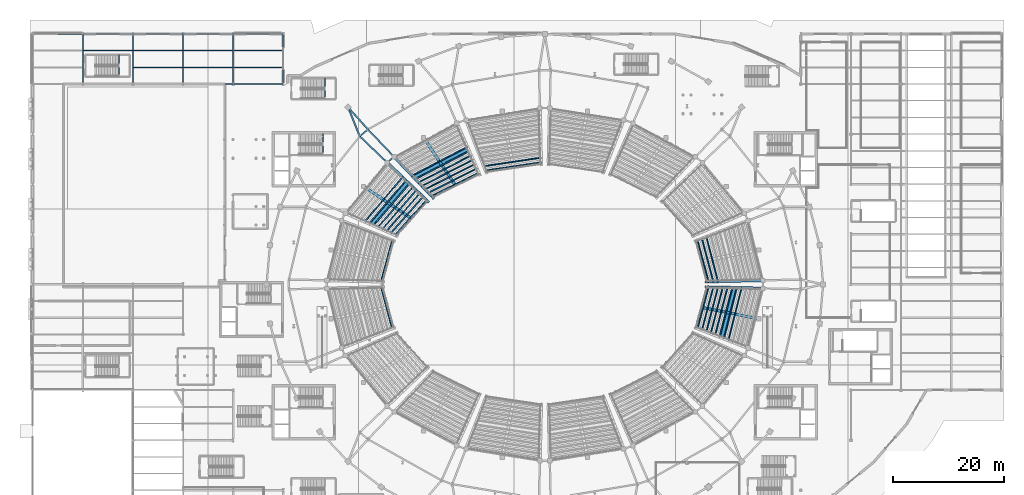
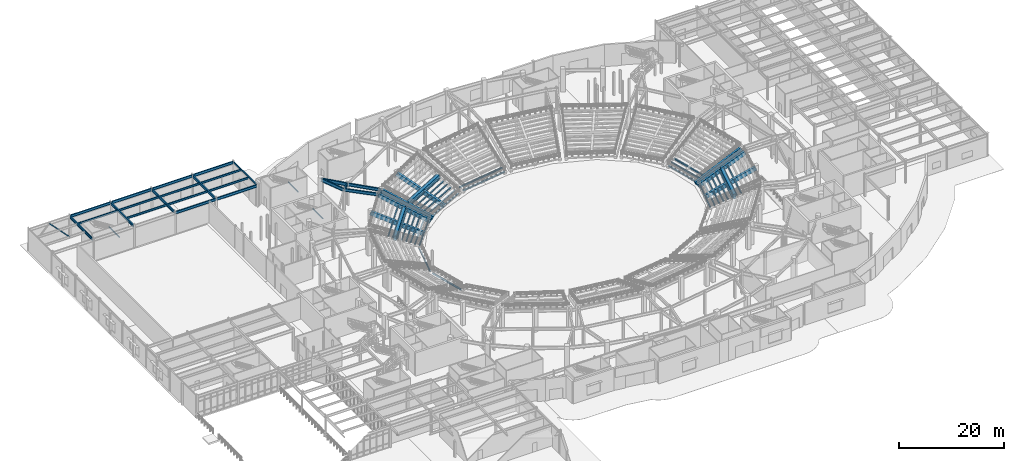
# One storey, part 35 of 79: 67 beams, 1 member.
"""IFC4 building model written with IfcOpenShell, lengths in metres."""

from ifc_helpers import new_model, si_unit, direction, frame, origin, origin_2d, place, context, subcontext, project, spatial, rectangle, hollow_rectangle, i_section, extrude, material, material_profile, profile_set, type_object, element, save


model = new_model("IFC4")

# Units and contexts
model_context = context("Model", 3, precision=1e-05, world=origin(), true_north=direction((0.0, 1.0)))
body_context = subcontext(model_context, "Body", "Model", "MODEL_VIEW")
ifc_project = project(units=[si_unit("LENGTHUNIT", "METRE"), si_unit("AREAUNIT", "SQUARE_METRE"), si_unit("VOLUMEUNIT", "CUBIC_METRE"), si_unit("PLANEANGLEUNIT", "RADIAN"), si_unit("MASSUNIT", "GRAM", prefix="KILO")], contexts=[model_context])

# Site, building, storey
site_placement = place(None, origin())
site = spatial("IfcSite", under=ifc_project, at=site_placement, CompositionType="ELEMENT")
building_placement = place(site_placement, origin())
building = spatial("IfcBuilding", under=site, at=building_placement, Name="Glasvene Arena", CompositionType="ELEMENT")
storey_placement = place(building_placement, origin())
storey = spatial("IfcBuildingStorey", under=building, at=storey_placement, Name="L00", CompositionType="ELEMENT", Elevation=0.0)

# Beams
ifc_material_1 = material(Name="Steel S355J2", Category="steel")
ifc_material_profile_1 = material_profile(ifc_material_1, i_section(OverallWidth=0.228271484375, OverallDepth=0.607666015625, WebThickness=0.010986328125, FlangeThickness=0.017333984375, FilletRadius=0.0126953125, at=origin_2d()), Name="UKB 610x229x113")
ifc_profile_set_1 = profile_set([ifc_material_profile_1], Name="Steel S355J2")
beam_type_1 = type_object("IfcBeamType", Name="BM-GIRD-610", PredefinedType="BEAM", material=ifc_profile_set_1)
for number, where, z_axis, x_axis, name in (
    (1, (27.050048828125, 109.0, 4.816162109375), (1.0, 0.0, 0.0), (0.0, 1.0, 0.0), "Primary X girder L00-0337"),
    (2, (36.050048828125, 109.0, 4.816162109375), (1.0, 0.0, 0.0), (0.0, 1.0, 0.0), "Primary X girder L00-0338"),
    (3, (9.050048828125, 118.0, 4.816162109375), (1.0, 0.0, 0.0), (0.0, 1.0, 0.0), "Primary X girder L00-0344"),
    (4, (18.050048828125, 118.0, 4.816162109375), (1.0, 0.0, 0.0), (0.0, 1.0, 0.0), "Primary X girder L00-0345"),
    (5, (27.050048828125, 118.0, 4.816162109375), (1.0, 0.0, 0.0), (0.0, 1.0, 0.0), "Primary X girder L00-0346"),
    (6, (36.050048828125, 118.0, 4.816162109375), (1.0, 0.0, 0.0), (0.0, 1.0, 0.0), "Primary X girder L00-0347"),
):
    element("IfcBeam", number, at=place(storey_placement, frame(where, z_axis=z_axis, x_axis=x_axis)), inside=storey, type_object=beam_type_1, Name=name, PredefinedType="BEAM", context=body_context, shape_type="SweptSolid", body=[
        extrude(i_section(OverallWidth=0.228271484375, OverallDepth=0.607666015625, WebThickness=0.010986328125, FlangeThickness=0.017333984375, FilletRadius=0.0126953125, at=origin_2d()), origin(), (0.0, 0.0, 1.0), 8.89990234375),
    ])
for number, where, z_axis, x_axis, name in (
    (7, (9.0, 109.2451171875, 4.816162109375), (0.0, 1.0, 0.0), (-1.0, 0.0, 0.0), "Primary Y girder L00-0367"),
    (8, (18.0, 109.17919921875, 4.816162109375), (0.0, 1.0, 0.0), (-1.0, 0.0, 0.0), "Primary Y girder L00-0375"),
    (9, (27.0, 109.2451171875, 4.816162109375), (0.0, 1.0, 0.0), (-1.0, 0.0, 0.0), "Primary Y girder L00-0382"),
    (10, (36.0, 109.17919921875, 4.816162109375), (0.0, 1.0, 0.0), (-1.0, 0.0, 0.0), "Primary Y girder L00-0388"),
):
    element("IfcBeam", number, at=place(storey_placement, frame(where, z_axis=z_axis, x_axis=x_axis)), inside=storey, type_object=beam_type_1, Name=name, PredefinedType="BEAM", context=body_context, shape_type="SweptSolid", body=[
        extrude(i_section(OverallWidth=0.228271484375, OverallDepth=0.607666015625, WebThickness=0.010986328125, FlangeThickness=0.017333984375, FilletRadius=0.0126953125, at=origin_2d()), origin(), (0.0, 0.0, 1.0), 8.57568359375),
    ])
beam_1_placement = place(storey_placement, frame((60.219482421875, 100.834228515625, 4.81494140625), z_axis=(-0.766930434436, -0.641730246082, 0.0), x_axis=(0.641730246082, -0.766930434436, 0.0)))
element("IfcBeam", 11, at=beam_1_placement, inside=storey, type_object=beam_type_1, Name="Concourse inner ring girder L00-12", PredefinedType="BEAM", context=body_context, shape_type="SweptSolid", body=[
    extrude(i_section(OverallWidth=0.228271484375, OverallDepth=0.607666015625, WebThickness=0.010986328125, FlangeThickness=0.017333984375, FilletRadius=0.0126953125, at=origin_2d()), origin(), (0.0, 0.0, 1.0), 1.924560546875),
])
beam_2_placement = place(storey_placement, frame((64.91748046875, 95.918212890625, 4.35009765625), z_axis=(-0.77751541262, -0.628863882839, 0.0), x_axis=(0.628863882839, -0.77751541262, 0.0)))
element("IfcBeam", 12, at=beam_2_placement, inside=storey, type_object=beam_type_1, Name="Mid-bowl ring girder L00-12", PredefinedType="BEAM", context=body_context, shape_type="SweptSolid", body=[
    extrude(i_section(OverallWidth=0.228271484375, OverallDepth=0.607666015625, WebThickness=0.010986328125, FlangeThickness=0.017333984375, FilletRadius=0.0126953125, at=origin_2d()), origin(), (0.0, 0.0, 1.0), 1.61767578125),
])
ifc_material_profile_2 = material_profile(ifc_material_1, i_section(OverallWidth=0.253662109375, OverallDepth=0.68359375, WebThickness=0.012451171875, FlangeThickness=0.01904296875, FilletRadius=0.01513671875, at=origin_2d()), Name="UKB 686x254x140")
ifc_profile_set_2 = profile_set([ifc_material_profile_2], Name="Steel S355J2")
beam_type_2 = type_object("IfcBeamType", Name="BM-GIRD-686", PredefinedType="BEAM", material=ifc_profile_set_2)
beam_3_placement = place(storey_placement, frame((64.91748046875, 95.918212890625, 4.7783203125), z_axis=(-0.690894054314, 0.722956019211, 0.0), x_axis=(-0.722956019211, -0.690894054314, 0.0)))
element("IfcBeam", 13, at=beam_3_placement, inside=storey, type_object=beam_type_2, Name="Mid-to-rear radial girder L00-12", PredefinedType="BEAM", context=body_context, shape_type="SweptSolid", body=[
    extrude(i_section(OverallWidth=0.253662109375, OverallDepth=0.68359375, WebThickness=0.012451171875, FlangeThickness=0.01904296875, FilletRadius=0.01513671875, at=origin_2d()), origin(), (0.0, 0.0, 1.0), 6.7998046875),
])
beam_4_placement = place(storey_placement, frame((63.65966796875, 94.90087890625, 4.7783203125), z_axis=(-0.722955223934, 0.690894886496, 0.0), x_axis=(-0.690894886496, -0.722955223934, 0.0)))
element("IfcBeam", 14, at=beam_4_placement, inside=storey, type_object=beam_type_2, Name="Mid-to-rear radial girder L00-13", PredefinedType="BEAM", context=body_context, shape_type="SweptSolid", body=[
    extrude(i_section(OverallWidth=0.253662109375, OverallDepth=0.68359375, WebThickness=0.012451171875, FlangeThickness=0.01904296875, FilletRadius=0.01513671875, at=origin_2d()), origin(), (0.0, 0.0, 1.0), 6.80029296875),
])
ifc_material_profile_3 = material_profile(ifc_material_1, i_section(OverallWidth=0.2666015625, OverallDepth=0.76220703125, WebThickness=0.014404296875, FlangeThickness=0.021484375, FilletRadius=0.0166015625, at=origin_2d()), Name="UKB 762x267x173")
ifc_profile_set_3 = profile_set([ifc_material_profile_3], Name="Steel S355J2")
beam_type_3 = type_object("IfcBeamType", Name="BM-GIRD-762", PredefinedType="BEAM", material=ifc_profile_set_3)
beam_5_placement = place(storey_placement, frame((60.219482421875, 100.834228515625, 4.739013671875), z_axis=(-0.667691455448, 0.744438123904, 0.0), x_axis=(-0.744438123904, -0.667691455448, 0.0)))
element("IfcBeam", 15, at=beam_5_placement, inside=storey, type_object=beam_type_3, Name="Radial concourse girder L00-12", PredefinedType="BEAM", context=body_context, shape_type="SweptSolid", body=[
    extrude(i_section(OverallWidth=0.2666015625, OverallDepth=0.76220703125, WebThickness=0.014404296875, FlangeThickness=0.021484375, FilletRadius=0.0166015625, at=origin_2d()), origin(), (0.0, 0.0, 1.0), 5.353759765625),
])
beam_6_placement = place(storey_placement, frame((58.743408203125, 99.59912109375, 4.739013671875), z_axis=(-0.372976095384, 0.927840952034, 0.0), x_axis=(-0.927840952034, -0.372976095384, 0.0)))
element("IfcBeam", 16, at=beam_6_placement, inside=storey, type_object=beam_type_3, Name="Radial concourse girder L00-13", PredefinedType="BEAM", context=body_context, shape_type="SweptSolid", body=[
    extrude(i_section(OverallWidth=0.2666015625, OverallDepth=0.76220703125, WebThickness=0.014404296875, FlangeThickness=0.021484375, FilletRadius=0.0166015625, at=origin_2d()), origin(), (0.0, 0.0, 1.0), 5.626708984375),
])
ifc_material_profile_4 = material_profile(ifc_material_1, i_section(OverallWidth=0.1904296875, OverallDepth=0.45703125, WebThickness=0.009033203125, FlangeThickness=0.014404296875, FilletRadius=0.01025390625, at=origin_2d()), Name="UKB 457x191x74")
ifc_profile_set_4 = profile_set([ifc_material_profile_4], Name="Steel S355J2")
beam_type_4 = type_object("IfcBeamType", Name="BM-JOIST-457", PredefinedType="JOIST", material=ifc_profile_set_4)
for number, where, z_axis, x_axis, name in (
    (17, (9.110107421875, 115.0, 4.8916015625), (1.0, 0.0, 0.0), (0.0, 1.0, 0.0), "Composite floor joist L00-0443"),
    (18, (18.110107421875, 112.0, 4.8916015625), (1.0, 0.0, 0.0), (0.0, 1.0, 0.0), "Composite floor joist L00-0456"),
    (19, (18.110107421875, 115.0, 4.8916015625), (1.0, 0.0, 0.0), (0.0, 1.0, 0.0), "Composite floor joist L00-0457"),
    (20, (27.110107421875, 112.0, 4.8916015625), (1.0, 0.0, 0.0), (0.0, 1.0, 0.0), "Composite floor joist L00-0466"),
    (21, (27.110107421875, 115.0, 4.8916015625), (1.0, 0.0, 0.0), (0.0, 1.0, 0.0), "Composite floor joist L00-0467"),
):
    element("IfcBeam", number, at=place(storey_placement, frame(where, z_axis=z_axis, x_axis=x_axis)), inside=storey, type_object=beam_type_4, Name=name, PredefinedType="JOIST", context=body_context, shape_type="SweptSolid", body=[
        extrude(i_section(OverallWidth=0.1904296875, OverallDepth=0.45703125, WebThickness=0.009033203125, FlangeThickness=0.014404296875, FilletRadius=0.01025390625, at=origin_2d()), origin(), (0.0, 0.0, 1.0), 8.77978515625),
    ])
for number, where, z_axis, x_axis, name in (
    (22, (36.110107421875, 112.0, 4.8916015625), (1.0, 0.0, 0.0), (0.0, 1.0, 0.0), "Composite floor joist L00-0476"),
    (23, (36.110107421875, 115.0, 4.8916015625), (1.0, 0.0, 0.0), (0.0, 1.0, 0.0), "Composite floor joist L00-0477"),
):
    element("IfcBeam", number, at=place(storey_placement, frame(where, z_axis=z_axis, x_axis=x_axis)), inside=storey, type_object=beam_type_4, Name=name, PredefinedType="JOIST", context=body_context, shape_type="SweptSolid", body=[
        extrude(i_section(OverallWidth=0.1904296875, OverallDepth=0.45703125, WebThickness=0.009033203125, FlangeThickness=0.014404296875, FilletRadius=0.01025390625, at=origin_2d()), origin(), (0.0, 0.0, 1.0), 8.7939453125),
    ])
ifc_material_profile_5 = material_profile(ifc_material_1, hollow_rectangle(XDim=0.199951171875, YDim=0.199951171875, WallThickness=0.010009765625, at=origin_2d()), Name="SHS 200x200x10.0")
ifc_profile_set_5 = profile_set([ifc_material_profile_5], Name="Steel S355J2")
beam_type_5 = type_object("IfcBeamType", Name="BM-LINTEL-200", PredefinedType="LINTEL", material=ifc_profile_set_5)
beam_7_placement = place(storey_placement, frame((52.169921875, 96.22998046875, 2.3798828125), z_axis=(0.0, 1.0, 0.0), x_axis=(-1.0, 0.0, 0.0)))
element("IfcBeam", 24, at=beam_7_placement, inside=storey, type_object=beam_type_5, Name="Stair half-landing support beam ST-01-L00", PredefinedType="LINTEL", context=body_context, shape_type="SweptSolid", body=[
    extrude(hollow_rectangle(XDim=0.199951171875, YDim=0.199951171875, WallThickness=0.010009765625, at=origin_2d()), origin(), (0.0, 0.0, 1.0), 3.89013671875),
])
beam_8_placement = place(storey_placement, frame((52.52001953125, 106.280029296875, 2.3798828125), z_axis=(0.0, 1.0, 0.0), x_axis=(-1.0, 0.0, 0.0)))
element("IfcBeam", 25, at=beam_8_placement, inside=storey, type_object=beam_type_5, Name="Stair half-landing support beam ST-12-L00", PredefinedType="LINTEL", context=body_context, shape_type="SweptSolid", body=[
    extrude(hollow_rectangle(XDim=0.199951171875, YDim=0.199951171875, WallThickness=0.010009765625, at=origin_2d()), origin(), (0.0, 0.0, 1.0), 3.7900390625),
])
beam_9_placement = place(storey_placement, frame((15.52001953125, 110.280029296875, 2.3798828125), z_axis=(0.0, 1.0, 0.0), x_axis=(-1.0, 0.0, 0.0)))
element("IfcBeam", 26, at=beam_9_placement, inside=storey, type_object=beam_type_5, Name="Stair half-landing support beam ST-14-L00", PredefinedType="LINTEL", context=body_context, shape_type="SweptSolid", body=[
    extrude(hollow_rectangle(XDim=0.199951171875, YDim=0.199951171875, WallThickness=0.010009765625, at=origin_2d()), origin(), (0.0, 0.0, 1.0), 3.989990234375),
])
ifc_material_2 = material(Name="Precast concrete C50/60", Category="concrete")
ifc_material_profile_6 = material_profile(ifc_material_2, rectangle(XDim=0.5, YDim=0.89990234375, at=origin_2d()), Name="RC 500x900")
ifc_profile_set_6 = profile_set([ifc_material_profile_6], Name="Precast concrete C50/60")
beam_type_6 = type_object("IfcBeamType", Name="BM-RAKER-LOW", PredefinedType="USERDEFINED", material=ifc_profile_set_6)
beam_10_placement = place(storey_placement, frame((120.992431640625, 73.48779296875, 0.2900390625), z_axis=(0.917979924827, 0.020834709204, 0.396079250287), x_axis=(-0.022690414598, 0.9997425394, 0.0)))
element("IfcBeam", 27, at=beam_10_placement, inside=storey, type_object=beam_type_6, Name="Lower bowl raker beam RKL-01-1", ObjectType="RAKER BEAM", PredefinedType="USERDEFINED", context=body_context, shape_type="SweptSolid", body=[
    extrude(rectangle(XDim=0.5, YDim=0.89990234375, at=origin_2d()), origin(), (0.0, 0.0, 1.0), 11.108642578125),
])
beam_11_placement = place(storey_placement, frame((75.888427734375, 90.876708984375, 0.27001953125), z_axis=(-0.51012920088, 0.763468535615, 0.396085841121), x_axis=(-0.831471707819, -0.555567096845, 0.0)))
element("IfcBeam", 28, at=beam_11_placement, inside=storey, type_object=beam_type_6, Name="Lower bowl raker beam RKL-06-2", ObjectType="RAKER BEAM", PredefinedType="USERDEFINED", context=body_context, shape_type="SweptSolid", body=[
    extrude(rectangle(XDim=0.5, YDim=0.89990234375, at=origin_2d()), origin(), (0.0, 0.0, 1.0), 11.1083984375),
])
beam_12_placement = place(storey_placement, frame((71.96435546875, 88.543701171875, 0.2900390625), z_axis=(-0.634362072065, 0.663856040355, 0.396080697851), x_axis=(-0.722984846356, -0.690863888142, 0.0)))
element("IfcBeam", 29, at=beam_12_placement, inside=storey, type_object=beam_type_6, Name="Lower bowl raker beam RKL-06-3", ObjectType="RAKER BEAM", PredefinedType="USERDEFINED", context=body_context, shape_type="SweptSolid", body=[
    extrude(rectangle(XDim=0.5, YDim=0.89990234375, at=origin_2d()), origin(), (0.0, 0.0, 1.0), 11.108642578125),
])
for number, where, z_axis, x_axis, name in (
    (30, (71.033935546875, 87.85400390625, 0.2900390625), (-0.663843748108, 0.634371327442, 0.39608647669), (-0.690875843477, -0.722973421987, 0.0), "Lower bowl raker beam RKL-07-1"),
    (31, (67.887451171875, 84.94482421875, 0.27001953125), (-0.763468535615, 0.51012920088, 0.396085841121), (-0.555567096845, -0.831471707819, 0.0), "Lower bowl raker beam RKL-07-2"),
    (32, (120.44287109375, 68.8056640625, 0.27001953125), (0.900568413777, -0.179142257436, 0.396086586126), (0.195098768209, 0.980783600313, 0.0), "Lower bowl raker beam RKL-16-2"),
):
    element("IfcBeam", number, at=place(storey_placement, frame(where, z_axis=z_axis, x_axis=x_axis)), inside=storey, type_object=beam_type_6, Name=name, ObjectType="RAKER BEAM", PredefinedType="USERDEFINED", context=body_context, shape_type="SweptSolid", body=[
        extrude(rectangle(XDim=0.5, YDim=0.89990234375, at=origin_2d()), origin(), (0.0, 0.0, 1.0), 11.1083984375),
    ])
beam_13_placement = place(storey_placement, frame((120.992431640625, 72.51220703125, 0.2900390625), z_axis=(0.917979924827, -0.020834709204, 0.396079250287), x_axis=(0.022690414598, 0.9997425394, 0.0)))
element("IfcBeam", 33, at=beam_13_placement, inside=storey, type_object=beam_type_6, Name="Lower bowl raker beam RKL-16-3", ObjectType="RAKER BEAM", PredefinedType="USERDEFINED", context=body_context, shape_type="SweptSolid", body=[
    extrude(rectangle(XDim=0.5, YDim=0.89990234375, at=origin_2d()), origin(), (0.0, 0.0, 1.0), 11.108642578125),
])
ifc_material_profile_7 = material_profile(ifc_material_2, rectangle(XDim=0.60009765625, YDim=1.10009765625, at=origin_2d()), Name="RC 600x1100")
ifc_profile_set_7 = profile_set([ifc_material_profile_7], Name="Precast concrete C50/60")
beam_type_7 = type_object("IfcBeamType", Name="BM-RAKER-MID", PredefinedType="USERDEFINED", material=ifc_profile_set_7)
beam_14_placement = place(storey_placement, frame((78.239013671875, 97.337890625, 2.3798828125), z_axis=(-0.886774671414, -0.46220199279, 0.0), x_axis=(0.46220199279, -0.886774671414, 0.0)))
element("IfcBeam", 34, at=beam_14_placement, inside=storey, type_object=beam_type_7, Name="Lower bowl tie raker beam RKM-06", ObjectType="RAKER BEAM", PredefinedType="USERDEFINED", context=body_context, shape_type="SweptSolid", body=[
    extrude(rectangle(XDim=0.60009765625, YDim=1.10009765625, at=origin_2d()), origin(), (0.0, 0.0, 1.0), 11.049072265625),
])
beam_15_placement = place(storey_placement, frame((67.3466796875, 91.37744140625, 2.3798828125), z_axis=(-0.650543606183, -0.759468904205, 0.0), x_axis=(0.759468904205, -0.650543606183, 0.0)))
element("IfcBeam", 35, at=beam_15_placement, inside=storey, type_object=beam_type_7, Name="Lower bowl tie raker beam RKM-07", ObjectType="RAKER BEAM", PredefinedType="USERDEFINED", context=body_context, shape_type="SweptSolid", body=[
    extrude(rectangle(XDim=0.60009765625, YDim=1.10009765625, at=origin_2d()), origin(), (0.0, 0.0, 1.0), 10.063720703125),
])
beam_16_placement = place(storey_placement, frame((123.792236328125, 63.380859375, 2.3798828125), z_axis=(0.247101776882, 0.968989531348, 0.0), x_axis=(-0.968989531348, 0.247101776882, 0.0)))
element("IfcBeam", 36, at=beam_16_placement, inside=storey, type_object=beam_type_7, Name="Lower bowl tie raker beam RKM-16", ObjectType="RAKER BEAM", PredefinedType="USERDEFINED", context=body_context, shape_type="SweptSolid", body=[
    extrude(rectangle(XDim=0.60009765625, YDim=1.10009765625, at=origin_2d()), origin(), (0.0, 0.0, 1.0), 9.30419921875),
])
ifc_material_profile_8 = material_profile(ifc_material_1, hollow_rectangle(XDim=0.199951171875, YDim=0.300048828125, WallThickness=0.012451171875, at=origin_2d()), Name="RHS 300x200x12.5")
ifc_profile_set_8 = profile_set([ifc_material_profile_8], Name="Steel S355J2")
beam_type_8 = type_object("IfcBeamType", Name="BM-SPAND-300", PredefinedType="SPANDREL", material=ifc_profile_set_8)
beam_17_placement = place(storey_placement, frame((45.0, 109.2451171875, 4.969970703125), z_axis=(0.0, 1.0, 0.0), x_axis=(-1.0, 0.0, 0.0)))
element("IfcBeam", 37, at=beam_17_placement, inside=storey, type_object=beam_type_8, Name="Primary Y girder L00-0393", PredefinedType="SPANDREL", context=body_context, shape_type="SweptSolid", body=[
    extrude(hollow_rectangle(XDim=0.199951171875, YDim=0.300048828125, WallThickness=0.012451171875, at=origin_2d()), origin(), (0.0, 0.0, 1.0), 8.57568359375),
])
ifc_material_profile_9 = material_profile(ifc_material_2, rectangle(XDim=0.219970703125, YDim=0.219970703125, at=origin_2d()), Name="RC 220x220")
ifc_profile_set_9 = profile_set([ifc_material_profile_9], Name="Precast concrete C50/60")
beam_type_9 = type_object("IfcBeamType", Name="BM-TIER-BEARER", PredefinedType="BEAM", material=ifc_profile_set_9)
beam_18_placement = place(storey_placement, frame((121.412353515625, 73.497314453125, 0.425048828125), z_axis=(-0.257931389935, 0.966163235735, 0.0), x_axis=(-0.966163235735, -0.257931389935, 0.0)))
element("IfcBeam", 38, at=beam_18_placement, inside=storey, type_object=beam_type_9, Name="Lower tier precast row bearer 01-R01", PredefinedType="BEAM", context=body_context, shape_type="SweptSolid", body=[
    extrude(rectangle(XDim=0.219970703125, YDim=0.219970703125, at=origin_2d()), origin(), (0.0, 0.0, 1.0), 7.689697265625),
])
beam_19_placement = place(storey_placement, frame((122.26220703125, 73.5166015625, 0.804931640625), z_axis=(-0.25564625341, 0.966770393174, 0.0), x_axis=(-0.966770393174, -0.25564625341, 0.0)))
element("IfcBeam", 39, at=beam_19_placement, inside=storey, type_object=beam_type_9, Name="Lower tier precast row bearer 01-R02", PredefinedType="BEAM", context=body_context, shape_type="SweptSolid", body=[
    extrude(rectangle(XDim=0.219970703125, YDim=0.219970703125, at=origin_2d()), origin(), (0.0, 0.0, 1.0), 7.98291015625),
])
beam_20_placement = place(storey_placement, frame((123.112060546875, 73.535888671875, 1.18505859375), z_axis=(-0.253521739186, 0.967329689279, 0.0), x_axis=(-0.967329689279, -0.253521739186, 0.0)))
element("IfcBeam", 40, at=beam_20_placement, inside=storey, type_object=beam_type_9, Name="Lower tier precast row bearer 01-R03", PredefinedType="BEAM", context=body_context, shape_type="SweptSolid", body=[
    extrude(rectangle(XDim=0.219970703125, YDim=0.219970703125, at=origin_2d()), origin(), (0.0, 0.0, 1.0), 8.27587890625),
])
beam_21_placement = place(storey_placement, frame((91.33251953125, 94.914306640625, 0.425048828125), z_axis=(-0.989195788791, -0.146600448291, 0.0), x_axis=(0.146600448291, -0.989195788791, 0.0)))
element("IfcBeam", 41, at=beam_21_placement, inside=storey, type_object=beam_type_9, Name="Lower tier precast row bearer 05-R01", PredefinedType="BEAM", context=body_context, shape_type="SweptSolid", body=[
    extrude(rectangle(XDim=0.219970703125, YDim=0.219970703125, at=origin_2d()), origin(), (0.0, 0.0, 1.0), 10.080322265625),
])
beam_22_placement = place(storey_placement, frame((91.313232421875, 95.76416015625, 0.804931640625), z_axis=(-0.988989629928, -0.147984836708, 0.0), x_axis=(0.147984836708, -0.988989629928, 0.0)))
element("IfcBeam", 42, at=beam_22_placement, inside=storey, type_object=beam_type_9, Name="Lower tier precast row bearer 05-R02", PredefinedType="BEAM", context=body_context, shape_type="SweptSolid", body=[
    extrude(rectangle(XDim=0.219970703125, YDim=0.219970703125, at=origin_2d()), origin(), (0.0, 0.0, 1.0), 10.373779296875),
])
beam_23_placement = place(storey_placement, frame((80.127685546875, 93.055908203125, 0.425048828125), z_axis=(-0.895196314229, -0.445672030749, 0.0), x_axis=(0.445672030749, -0.895196314229, 0.0)))
element("IfcBeam", 43, at=beam_23_placement, inside=storey, type_object=beam_type_9, Name="Lower tier precast row bearer 06-R01", PredefinedType="BEAM", context=body_context, shape_type="SweptSolid", body=[
    extrude(rectangle(XDim=0.219970703125, YDim=0.219970703125, at=origin_2d()), origin(), (0.0, 0.0, 1.0), 9.443115234375),
])
beam_24_placement = place(storey_placement, frame((79.78466796875, 93.83349609375, 0.804931640625), z_axis=(-0.893492276807, -0.449078558034, 0.0), x_axis=(0.449078558034, -0.893492276807, 0.0)))
element("IfcBeam", 44, at=beam_24_placement, inside=storey, type_object=beam_type_9, Name="Lower tier precast row bearer 06-R02", PredefinedType="BEAM", context=body_context, shape_type="SweptSolid", body=[
    extrude(rectangle(XDim=0.219970703125, YDim=0.219970703125, at=origin_2d()), origin(), (0.0, 0.0, 1.0), 9.734619140625),
])
beam_25_placement = place(storey_placement, frame((79.441650390625, 94.611328125, 1.18505859375), z_axis=(-0.891860698472, -0.452310175125, 0.0), x_axis=(0.452310175125, -0.891860698472, 0.0)))
element("IfcBeam", 45, at=beam_25_placement, inside=storey, type_object=beam_type_9, Name="Lower tier precast row bearer 06-R03", PredefinedType="BEAM", context=body_context, shape_type="SweptSolid", body=[
    extrude(rectangle(XDim=0.219970703125, YDim=0.219970703125, at=origin_2d()), origin(), (0.0, 0.0, 1.0), 10.026123046875),
])
beam_26_placement = place(storey_placement, frame((79.0986328125, 95.38916015625, 1.56494140625), z_axis=(-0.890310631504, -0.455353686086, 0.0), x_axis=(0.455353686086, -0.890310631504, 0.0)))
element("IfcBeam", 46, at=beam_26_placement, inside=storey, type_object=beam_type_9, Name="Lower tier precast row bearer 06-R04", PredefinedType="BEAM", context=body_context, shape_type="SweptSolid", body=[
    extrude(rectangle(XDim=0.219970703125, YDim=0.219970703125, at=origin_2d()), origin(), (0.0, 0.0, 1.0), 10.31787109375),
])
beam_27_placement = place(storey_placement, frame((78.755615234375, 96.166748046875, 1.945068359375), z_axis=(-0.888850467497, -0.458197388065, 0.0), x_axis=(0.458197388065, -0.888850467497, 0.0)))
element("IfcBeam", 47, at=beam_27_placement, inside=storey, type_object=beam_type_9, Name="Lower tier precast row bearer 06-R05", PredefinedType="BEAM", context=body_context, shape_type="SweptSolid", body=[
    extrude(rectangle(XDim=0.219970703125, YDim=0.219970703125, at=origin_2d()), origin(), (0.0, 0.0, 1.0), 10.609619140625),
])
beam_28_placement = place(storey_placement, frame((78.41259765625, 96.944580078125, 2.324951171875), z_axis=(-0.887455386192, -0.460893629289, 0.0), x_axis=(0.460893629289, -0.887455386192, 0.0)))
element("IfcBeam", 48, at=beam_28_placement, inside=storey, type_object=beam_type_9, Name="Lower tier precast row bearer 06-R06", PredefinedType="BEAM", context=body_context, shape_type="SweptSolid", body=[
    extrude(rectangle(XDim=0.219970703125, YDim=0.219970703125, at=origin_2d()), origin(), (0.0, 0.0, 1.0), 10.9013671875),
])
beam_29_placement = place(storey_placement, frame((78.069580078125, 97.72216796875, 2.705078125), z_axis=(-0.886130183156, -0.463436401785, 0.0), x_axis=(0.463436401785, -0.886130183156, 0.0)))
element("IfcBeam", 49, at=beam_29_placement, inside=storey, type_object=beam_type_9, Name="Lower tier precast row bearer 06-R07", PredefinedType="BEAM", context=body_context, shape_type="SweptSolid", body=[
    extrude(rectangle(XDim=0.219970703125, YDim=0.219970703125, at=origin_2d()), origin(), (0.0, 0.0, 1.0), 11.193603515625),
])
beam_30_placement = place(storey_placement, frame((70.730224609375, 88.14404296875, 0.425048828125), z_axis=(-0.667653134954, -0.744472492028, 0.0), x_axis=(0.744472492028, -0.667653134954, 0.0)))
element("IfcBeam", 50, at=beam_30_placement, inside=storey, type_object=beam_type_9, Name="Lower tier precast row bearer 07-R01", PredefinedType="BEAM", context=body_context, shape_type="SweptSolid", body=[
    extrude(rectangle(XDim=0.219970703125, YDim=0.219970703125, at=origin_2d()), origin(), (0.0, 0.0, 1.0), 8.460205078125),
])
beam_31_placement = place(storey_placement, frame((70.11572265625, 88.7314453125, 0.804931640625), z_axis=(-0.664093661904, -0.747649388563, 0.0), x_axis=(0.747649388563, -0.664093661904, 0.0)))
element("IfcBeam", 51, at=beam_31_placement, inside=storey, type_object=beam_type_9, Name="Lower tier precast row bearer 07-R02", PredefinedType="BEAM", context=body_context, shape_type="SweptSolid", body=[
    extrude(rectangle(XDim=0.219970703125, YDim=0.219970703125, at=origin_2d()), origin(), (0.0, 0.0, 1.0), 8.7509765625),
])
beam_32_placement = place(storey_placement, frame((69.501220703125, 89.318603515625, 1.18505859375), z_axis=(-0.660763009809, -0.750594594217, 0.0), x_axis=(0.750594594217, -0.660763009809, 0.0)))
element("IfcBeam", 52, at=beam_32_placement, inside=storey, type_object=beam_type_9, Name="Lower tier precast row bearer 07-R03", PredefinedType="BEAM", context=body_context, shape_type="SweptSolid", body=[
    extrude(rectangle(XDim=0.219970703125, YDim=0.219970703125, at=origin_2d()), origin(), (0.0, 0.0, 1.0), 9.0419921875),
])
beam_33_placement = place(storey_placement, frame((68.88671875, 89.906005859375, 1.56494140625), z_axis=(-0.657630080735, -0.753341009711, 0.0), x_axis=(0.753341009711, -0.657630080735, 0.0)))
element("IfcBeam", 53, at=beam_33_placement, inside=storey, type_object=beam_type_9, Name="Lower tier precast row bearer 07-R04", PredefinedType="BEAM", context=body_context, shape_type="SweptSolid", body=[
    extrude(rectangle(XDim=0.219970703125, YDim=0.219970703125, at=origin_2d()), origin(), (0.0, 0.0, 1.0), 9.33349609375),
])
beam_34_placement = place(storey_placement, frame((68.272216796875, 90.4931640625, 1.945068359375), z_axis=(-0.654689080051, -0.755898279176, 0.0), x_axis=(0.755898279176, -0.654689080051, 0.0)))
element("IfcBeam", 54, at=beam_34_placement, inside=storey, type_object=beam_type_9, Name="Lower tier precast row bearer 07-R05", PredefinedType="BEAM", context=body_context, shape_type="SweptSolid", body=[
    extrude(rectangle(XDim=0.219970703125, YDim=0.219970703125, at=origin_2d()), origin(), (0.0, 0.0, 1.0), 9.624755859375),
])
beam_35_placement = place(storey_placement, frame((67.65771484375, 91.080322265625, 2.324951171875), z_axis=(-0.651897728646, -0.758306897889, 0.0), x_axis=(0.758306897889, -0.651897728646, 0.0)))
element("IfcBeam", 55, at=beam_35_placement, inside=storey, type_object=beam_type_9, Name="Lower tier precast row bearer 07-R06", PredefinedType="BEAM", context=body_context, shape_type="SweptSolid", body=[
    extrude(rectangle(XDim=0.219970703125, YDim=0.219970703125, at=origin_2d()), origin(), (0.0, 0.0, 1.0), 9.916259765625),
])
beam_36_placement = place(storey_placement, frame((67.043212890625, 91.66748046875, 2.705078125), z_axis=(-0.649271490682, -0.760556724635, 0.0), x_axis=(0.760556724635, -0.649271490682, 0.0)))
element("IfcBeam", 56, at=beam_36_placement, inside=storey, type_object=beam_type_9, Name="Lower tier precast row bearer 07-R07", PredefinedType="BEAM", context=body_context, shape_type="SweptSolid", body=[
    extrude(rectangle(XDim=0.219970703125, YDim=0.219970703125, at=origin_2d()), origin(), (0.0, 0.0, 1.0), 10.207763671875),
])
beam_37_placement = place(storey_placement, frame((66.4287109375, 92.2548828125, 3.0849609375), z_axis=(-0.646759064812, -0.762694376591, 0.0), x_axis=(0.762694376591, -0.646759064812, 0.0)))
element("IfcBeam", 57, at=beam_37_placement, inside=storey, type_object=beam_type_9, Name="Lower tier precast row bearer 07-R08", PredefinedType="BEAM", context=body_context, shape_type="SweptSolid", body=[
    extrude(rectangle(XDim=0.219970703125, YDim=0.219970703125, at=origin_2d()), origin(), (0.0, 0.0, 1.0), 10.499755859375),
])
for number, where, z_axis, x_axis, name in (
    (58, (64.571044921875, 80.9267578125, 0.425048828125), (-0.257931389935, -0.966163235735, 0.0), (0.966163235735, -0.257931389935, 0.0), "Lower tier precast row bearer 08-R01"),
    (59, (62.587646484375, 72.502685546875, 0.425048828125), (0.257931389935, -0.966163235735, 0.0), (0.966163235735, 0.257931389935, 0.0), "Lower tier precast row bearer 09-R01"),
    (60, (119.428955078125, 65.0732421875, 0.425048828125), (0.257931389935, 0.966163235735, 0.0), (-0.966163235735, 0.257931389935, 0.0), "Lower tier precast row bearer 16-R01"),
):
    element("IfcBeam", number, at=place(storey_placement, frame(where, z_axis=z_axis, x_axis=x_axis)), inside=storey, type_object=beam_type_9, Name=name, PredefinedType="BEAM", context=body_context, shape_type="SweptSolid", body=[
        extrude(rectangle(XDim=0.219970703125, YDim=0.219970703125, at=origin_2d()), origin(), (0.0, 0.0, 1.0), 7.689697265625),
    ])
beam_38_placement = place(storey_placement, frame((120.221435546875, 64.765869140625, 0.804931640625), z_axis=(0.25564625341, 0.966770393174, 0.0), x_axis=(-0.966770393174, 0.25564625341, 0.0)))
element("IfcBeam", 61, at=beam_38_placement, inside=storey, type_object=beam_type_9, Name="Lower tier precast row bearer 16-R02", PredefinedType="BEAM", context=body_context, shape_type="SweptSolid", body=[
    extrude(rectangle(XDim=0.219970703125, YDim=0.219970703125, at=origin_2d()), origin(), (0.0, 0.0, 1.0), 7.98291015625),
])
beam_39_placement = place(storey_placement, frame((121.013916015625, 64.45849609375, 1.18505859375), z_axis=(0.253521739186, 0.967329689279, 0.0), x_axis=(-0.967329689279, 0.253521739186, 0.0)))
element("IfcBeam", 62, at=beam_39_placement, inside=storey, type_object=beam_type_9, Name="Lower tier precast row bearer 16-R03", PredefinedType="BEAM", context=body_context, shape_type="SweptSolid", body=[
    extrude(rectangle(XDim=0.219970703125, YDim=0.219970703125, at=origin_2d()), origin(), (0.0, 0.0, 1.0), 8.27587890625),
])
beam_40_placement = place(storey_placement, frame((121.806396484375, 64.15087890625, 1.56494140625), z_axis=(0.251534579862, 0.967848312048, 0.0), x_axis=(-0.967848312048, 0.251534579862, 0.0)))
element("IfcBeam", 63, at=beam_40_placement, inside=storey, type_object=beam_type_9, Name="Lower tier precast row bearer 16-R04", PredefinedType="BEAM", context=body_context, shape_type="SweptSolid", body=[
    extrude(rectangle(XDim=0.219970703125, YDim=0.219970703125, at=origin_2d()), origin(), (0.0, 0.0, 1.0), 8.569580078125),
])
beam_41_placement = place(storey_placement, frame((122.598876953125, 63.84375, 1.945068359375), z_axis=(0.249665559128, 0.968332127209, 0.0), x_axis=(-0.968332127209, 0.249665559128, 0.0)))
element("IfcBeam", 64, at=beam_41_placement, inside=storey, type_object=beam_type_9, Name="Lower tier precast row bearer 16-R05", PredefinedType="BEAM", context=body_context, shape_type="SweptSolid", body=[
    extrude(rectangle(XDim=0.219970703125, YDim=0.219970703125, at=origin_2d()), origin(), (0.0, 0.0, 1.0), 8.862548828125),
])
beam_42_placement = place(storey_placement, frame((123.391357421875, 63.536376953125, 2.324951171875), z_axis=(0.247933940599, 0.968776940838, 0.0), x_axis=(-0.968776940838, 0.247933940599, 0.0)))
element("IfcBeam", 65, at=beam_42_placement, inside=storey, type_object=beam_type_9, Name="Lower tier precast row bearer 16-R06", PredefinedType="BEAM", context=body_context, shape_type="SweptSolid", body=[
    extrude(rectangle(XDim=0.219970703125, YDim=0.219970703125, at=origin_2d()), origin(), (0.0, 0.0, 1.0), 9.15576171875),
])
beam_43_placement = place(storey_placement, frame((124.183837890625, 63.22900390625, 2.705078125), z_axis=(0.246284836394, 0.969197492445, 0.0), x_axis=(-0.969197492445, 0.246284836394, 0.0)))
element("IfcBeam", 66, at=beam_43_placement, inside=storey, type_object=beam_type_9, Name="Lower tier precast row bearer 16-R07", PredefinedType="BEAM", context=body_context, shape_type="SweptSolid", body=[
    extrude(rectangle(XDim=0.219970703125, YDim=0.219970703125, at=origin_2d()), origin(), (0.0, 0.0, 1.0), 9.448974609375),
])
beam_44_placement = place(storey_placement, frame((124.976318359375, 62.92138671875, 3.0849609375), z_axis=(0.244751982827, 0.969585719213, 0.0), x_axis=(-0.969585719213, 0.244751982827, 0.0)))
element("IfcBeam", 67, at=beam_44_placement, inside=storey, type_object=beam_type_9, Name="Lower tier precast row bearer 16-R08", PredefinedType="BEAM", context=body_context, shape_type="SweptSolid", body=[
    extrude(rectangle(XDim=0.219970703125, YDim=0.219970703125, at=origin_2d()), origin(), (0.0, 0.0, 1.0), 9.74267578125),
])

# Member
ifc_material_profile_10 = material_profile(ifc_material_1, hollow_rectangle(XDim=0.199951171875, YDim=0.199951171875, WallThickness=0.010009765625, at=origin_2d()), Name="SHS 200x200x10.0")
ifc_profile_set_10 = profile_set([ifc_material_profile_10], Name="Steel S355J2")
member_type = type_object("IfcMemberType", Name="MB-BRACE-SHS200", PredefinedType="BRACE", material=ifc_profile_set_10)
member_placement = place(storey_placement, frame((9.0, 118.0, 0.050048828125), z_axis=(-0.690040218266, 0.0, 0.723771025377), x_axis=(0.0, -1.0, 0.0)))
element("IfcMember", 68, at=member_placement, inside=storey, type_object=member_type, Name="Perimeter lateral chevron brace L00-026-B", PredefinedType="BRACE", context=body_context, shape_type="SweptSolid", body=[
    extrude(hollow_rectangle(XDim=0.199951171875, YDim=0.199951171875, WallThickness=0.010009765625, at=origin_2d()), origin(), (0.0, 0.0, 1.0), 6.521240234375),
])

save(model, "model.ifc")
